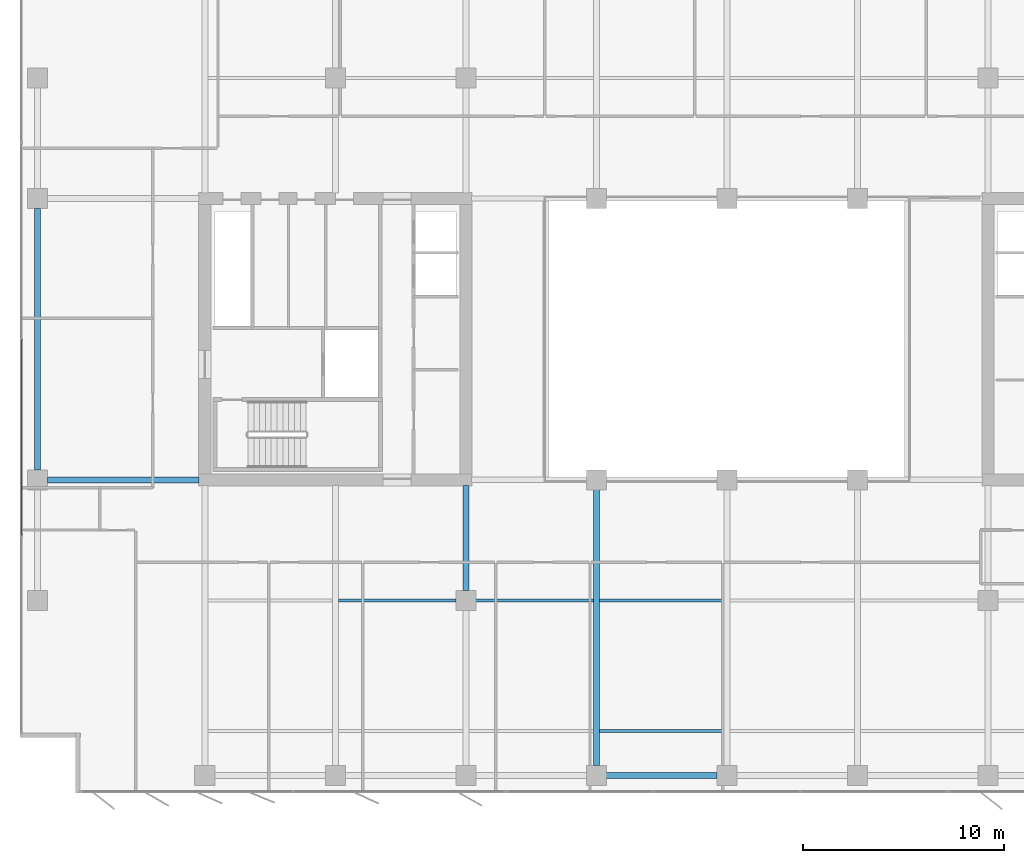
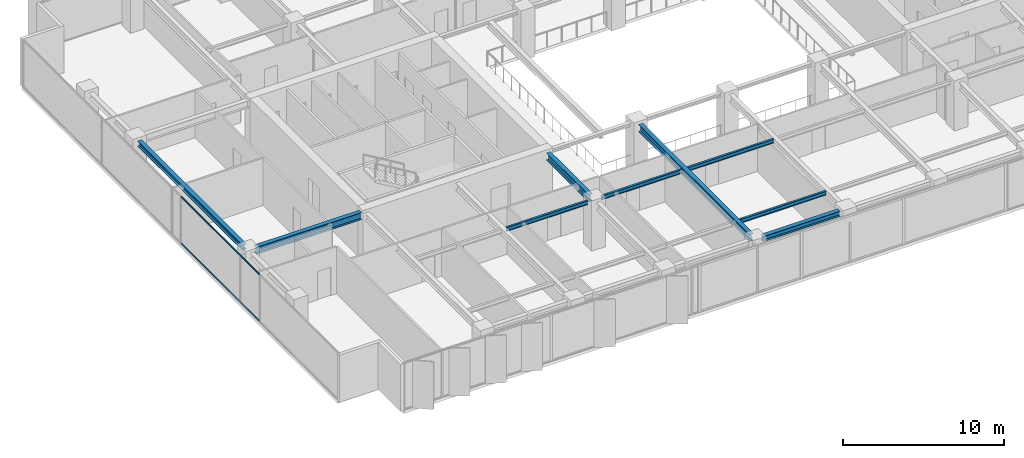
# One storey, part 3 of 22: 9 beams, 2 members, 1 element without a shape of its own.
"""IFC4 building model written with IfcOpenShell, lengths in metres."""

from ifc_helpers import new_model, si_unit, direction, frame, origin, origin_2d, place, context, subcontext, project, spatial, rectangle, i_section, extrude, material, layer, layer_set, material_profile, profile_set, type_object, element, aggregate, save


model = new_model("IFC4")

# Units and contexts
model_context = context("Model", 3, precision=1e-05, world=origin(), true_north=direction((0.0, 1.0)))
body_context = subcontext(model_context, "Body", "Model", "MODEL_VIEW")
ifc_project = project(units=[si_unit("LENGTHUNIT", "METRE"), si_unit("AREAUNIT", "SQUARE_METRE"), si_unit("VOLUMEUNIT", "CUBIC_METRE"), si_unit("PLANEANGLEUNIT", "RADIAN"), si_unit("MASSUNIT", "GRAM", prefix="KILO")], contexts=[model_context])

# Site, building, storey
site_placement = place(None, origin())
site = spatial("IfcSite", under=ifc_project, at=site_placement, CompositionType="ELEMENT")
building_placement = place(site_placement, origin())
building = spatial("IfcBuilding", under=site, at=building_placement, Name="Putna Gate Headquarters", CompositionType="ELEMENT")
storey_placement = place(building_placement, frame((0.0, 0.0, 178.39990234375)))
storey = spatial("IfcBuildingStorey", under=building, at=storey_placement, Name="L44", CompositionType="ELEMENT", Elevation=178.39990234375)

# Beams
ifc_material_1 = material(Name="Steel S355J2", Category="steel")
ifc_material_profile_1 = material_profile(ifc_material_1, i_section(OverallWidth=0.300048828125, OverallDepth=0.550048828125, WebThickness=0.014892578125, FlangeThickness=0.029052734375, at=origin_2d()), Name="Steel S355J2")
ifc_profile_set_1 = profile_set([ifc_material_profile_1], Name="Steel S355J2")
beam_type_1 = type_object("IfcBeamType", Name="BM-GIRD-Z3-HEB550", PredefinedType="USERDEFINED", material=ifc_profile_set_1)
beam_1_placement = place(storey_placement, frame((5.16796875, 19.0, 3.297119140625), z_axis=(1.0, 0.0, 0.0), x_axis=(0.0, 1.0, 0.0)))
element("IfcBeam", 1, at=beam_1_placement, inside=storey, type_object=beam_type_1, Name="L44 West Wing Girder Y19", ObjectType="GIRDER", PredefinedType="USERDEFINED", context=body_context, shape_type="SweptSolid", body=[
    extrude(i_section(OverallWidth=0.300048828125, OverallDepth=0.550048828125, WebThickness=0.014892578125, FlangeThickness=0.029052734375, at=origin_2d()), origin(), (0.0, 0.0, 1.0), 7.547119140625),
])
beam_2_placement = place(storey_placement, frame((26.0, 13.488037109375, 3.297119140625), z_axis=(0.0, 1.0, 0.0), x_axis=(-1.0, 0.0, 0.0)))
element("IfcBeam", 2, at=beam_2_placement, inside=storey, type_object=beam_type_1, Name="L44 South Primary Girder X26-2", ObjectType="GIRDER", PredefinedType="USERDEFINED", context=body_context, shape_type="SweptSolid", body=[
    extrude(i_section(OverallWidth=0.300048828125, OverallDepth=0.550048828125, WebThickness=0.014892578125, FlangeThickness=0.029052734375, at=origin_2d()), origin(), (0.0, 0.0, 1.0), 5.22705078125),
])
beam_3_placement = place(storey_placement, frame((32.5, 4.76806640625, 3.297119140625), z_axis=(0.0, 1.0, 0.0), x_axis=(-1.0, 0.0, 0.0)))
element("IfcBeam", 3, at=beam_3_placement, inside=storey, type_object=beam_type_1, Name="L44 South Primary Girder X32", ObjectType="GIRDER", PredefinedType="USERDEFINED", context=body_context, shape_type="SweptSolid", body=[
    extrude(i_section(OverallWidth=0.300048828125, OverallDepth=0.550048828125, WebThickness=0.014892578125, FlangeThickness=0.029052734375, at=origin_2d()), origin(), (0.0, 0.0, 1.0), 13.743896484375),
])
ifc_material_profile_2 = material_profile(ifc_material_1, i_section(OverallWidth=0.14990234375, OverallDepth=0.300048828125, WebThickness=0.007080078125, FlangeThickness=0.0107421875, at=origin_2d()), Name="Steel S355J2")
ifc_profile_set_2 = profile_set([ifc_material_profile_2], Name="Steel S355J2")
beam_type_2 = type_object("IfcBeamType", Name="BM-SEC-Z3-IPE300", PredefinedType="JOIST", material=ifc_profile_set_2)
for number, where, z_axis, x_axis, name in (
    (4, (19.654052734375, 13.0, 3.422119140625), (1.0, 0.0, 0.0), (0.0, 1.0, 0.0), "L44 South Secondary Beam 2"),
    (5, (26.488037109375, 13.0, 3.422119140625), (1.0, 0.0, 0.0), (0.0, 1.0, 0.0), "L44 South Secondary Beam 3"),
):
    element("IfcBeam", number, at=place(storey_placement, frame(where, z_axis=z_axis, x_axis=x_axis)), inside=storey, type_object=beam_type_2, Name=name, PredefinedType="JOIST", context=body_context, shape_type="SweptSolid", body=[
        extrude(i_section(OverallWidth=0.14990234375, OverallDepth=0.300048828125, WebThickness=0.007080078125, FlangeThickness=0.0107421875, at=origin_2d()), origin(), (0.0, 0.0, 1.0), 5.85791015625),
    ])
for number, where, z_axis, x_axis, name in (
    (6, (32.654052734375, 6.5, 3.422119140625), (1.0, 0.0, 0.0), (0.0, 1.0, 0.0), "L44 South Secondary Beam 4"),
    (7, (32.654052734375, 13.0, 3.422119140625), (1.0, 0.0, 0.0), (0.0, 1.0, 0.0), "L44 South Secondary Beam 4"),
):
    element("IfcBeam", number, at=place(storey_placement, frame(where, z_axis=z_axis, x_axis=x_axis)), inside=storey, type_object=beam_type_2, Name=name, PredefinedType="JOIST", context=body_context, shape_type="SweptSolid", body=[
        extrude(i_section(OverallWidth=0.14990234375, OverallDepth=0.300048828125, WebThickness=0.007080078125, FlangeThickness=0.0107421875, at=origin_2d()), origin(), (0.0, 0.0, 1.0), 6.19189453125),
    ])
ifc_material_profile_3 = material_profile(ifc_material_1, i_section(OverallWidth=0.300048828125, OverallDepth=0.39990234375, WebThickness=0.013427734375, FlangeThickness=0.02392578125, at=origin_2d()), Name="Steel S355J2")
ifc_profile_set_3 = profile_set([ifc_material_profile_3], Name="Steel S355J2")
beam_type_3 = type_object("IfcBeamType", Name="BM-SPAN-Z3-HEB400", PredefinedType="SPANDREL", material=ifc_profile_set_3)
beam_4_placement = place(storey_placement, frame((32.988037109375, 4.280029296875, 3.3720703125), z_axis=(1.0, 0.0, 0.0), x_axis=(0.0, 1.0, 0.0)))
element("IfcBeam", 8, at=beam_4_placement, inside=storey, type_object=beam_type_3, Name="L44 S Perimeter Spandrel 4", PredefinedType="SPANDREL", context=body_context, shape_type="SweptSolid", body=[
    extrude(i_section(OverallWidth=0.300048828125, OverallDepth=0.39990234375, WebThickness=0.013427734375, FlangeThickness=0.02392578125, at=origin_2d()), origin(), (0.0, 0.0, 1.0), 5.52392578125),
])
beam_5_placement = place(storey_placement, frame((4.679931640625, 19.488037109375, 3.3720703125), z_axis=(0.0, 1.0, 0.0), x_axis=(-1.0, 0.0, 0.0)))
element("IfcBeam", 9, at=beam_5_placement, inside=storey, type_object=beam_type_3, Name="L44 W End Spandrel 2", PredefinedType="SPANDREL", context=body_context, shape_type="SweptSolid", body=[
    extrude(i_section(OverallWidth=0.300048828125, OverallDepth=0.39990234375, WebThickness=0.013427734375, FlangeThickness=0.02392578125, at=origin_2d()), origin(), (0.0, 0.0, 1.0), 13.02392578125),
])

# Curtain wall, members
ifc_material_2 = material(Name="Anodised bronze aluminium curtain wall", Category="aluminium")
ifc_layer = layer(ifc_material_2, 0.159912109375)
ifc_layer_set = layer_set([ifc_layer], Name="Anodised bronze aluminium curtain wall")
curtain_wall_type = type_object("IfcCurtainWallType", Name="CW-SYS-Z3", PredefinedType="USERDEFINED", material=ifc_layer_set)
curtain_wall_placement = place(storey_placement, origin())
curtain_wall = element("IfcCurtainWall", 10, at=curtain_wall_placement, inside=storey, type_object=curtain_wall_type, Name="L44 West Curtain Wall", ObjectType="STICK CURTAIN WALL", PredefinedType="USERDEFINED")
ifc_material_3 = material(Name="Anodised bronze aluminium EN AW-6060", Category="aluminium")
ifc_material_profile_4 = material_profile(ifc_material_3, rectangle(XDim=0.06005859375, YDim=0.10009765625, at=origin_2d()), Name="Anodised bronze aluminium EN AW-6060")
ifc_profile_set_4 = profile_set([ifc_material_profile_4], Name="Anodised bronze aluminium EN AW-6060")
member_type = type_object("IfcMemberType", Name="TRAN-CWT-3", PredefinedType="USERDEFINED", material=ifc_profile_set_4)
member_1_placement = place(storey_placement, frame((3.8798828125, 16.232421875, 0.030029296875), z_axis=(0.0, 1.0, 0.0), x_axis=(-1.0, 0.0, 0.0)))
member_1 = element("IfcMember", 11, at=member_1_placement, type_object=member_type, Name="CWS-3 transom 2.1", ObjectType="TRANSOM", PredefinedType="USERDEFINED", context=body_context, shape_type="SweptSolid", body=[
    extrude(rectangle(XDim=0.06005859375, YDim=0.10009765625, at=origin_2d()), origin(), (0.0, 0.0, 1.0), 9.735107421875),
])
member_2_placement = place(storey_placement, frame((3.8798828125, 16.232421875, 3.5419921875), z_axis=(0.0, 1.0, 0.0), x_axis=(-1.0, 0.0, 0.0)))
member_2 = element("IfcMember", 12, at=member_2_placement, type_object=member_type, Name="CWS-3 transom 2.2", ObjectType="TRANSOM", PredefinedType="USERDEFINED", context=body_context, shape_type="SweptSolid", body=[
    extrude(rectangle(XDim=0.06005859375, YDim=0.10009765625, at=origin_2d()), origin(), (0.0, 0.0, 1.0), 9.735107421875),
])
aggregate(curtain_wall, [member_1, member_2])

save(model, "model.ifc")
